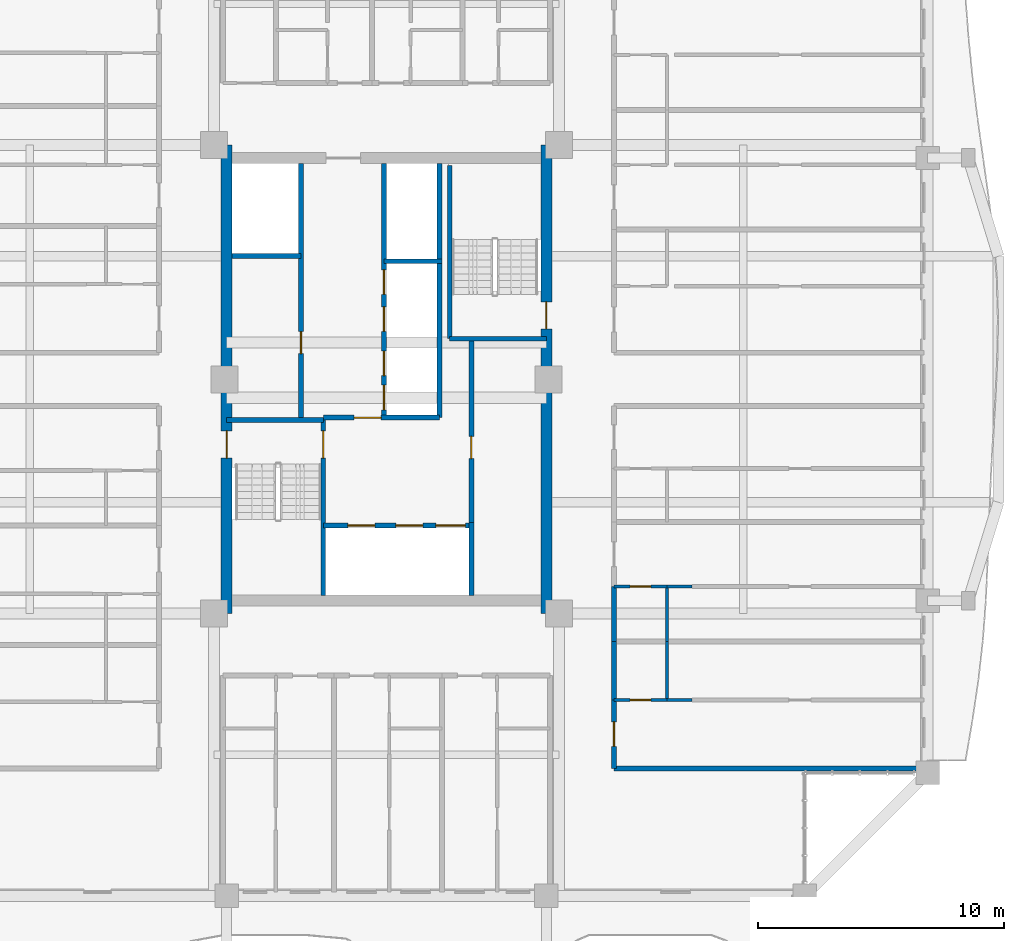
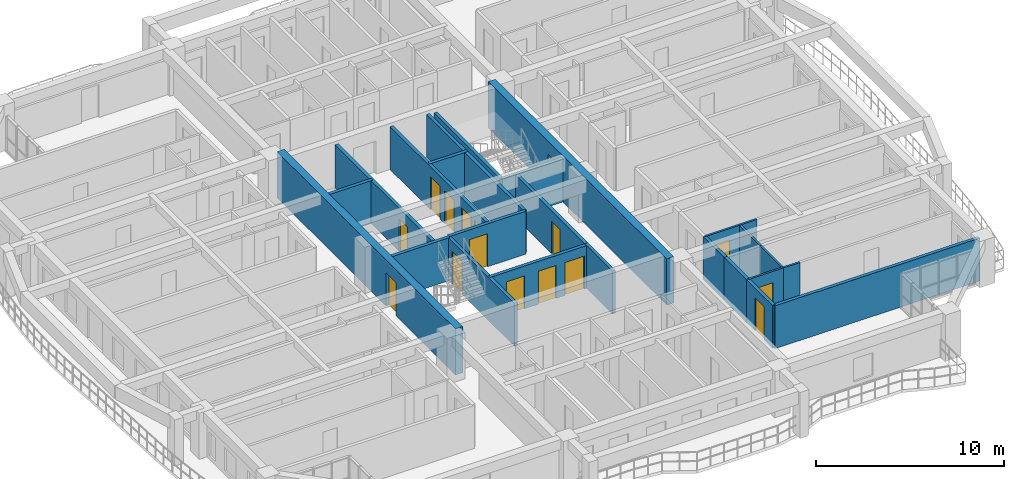
# One storey, part 14 of 24: 26 walls, 16 doors, 16 openings.
"""IFC4 building model written with IfcOpenShell, lengths in metres."""

from ifc_helpers import new_model, si_unit, direction, frame, frame_2d, origin, place, context, subcontext, project, spatial, rectangle, extrude, source, transform, mapped, material, layer, layer_set, type_object, element, fill, save


model = new_model("IFC4")

# Units and contexts
model_context = context("Model", 3, precision=1e-05, world=origin(), true_north=direction((0.0, 1.0)))
body_context = subcontext(model_context, "Body", "Model", "MODEL_VIEW")
ifc_project = project(units=[si_unit("LENGTHUNIT", "METRE"), si_unit("AREAUNIT", "SQUARE_METRE"), si_unit("VOLUMEUNIT", "CUBIC_METRE"), si_unit("PLANEANGLEUNIT", "RADIAN"), si_unit("MASSUNIT", "GRAM", prefix="KILO")], contexts=[model_context])

# Site, building, storey
site_placement = place(None, origin())
site = spatial("IfcSite", under=ifc_project, at=site_placement, CompositionType="ELEMENT")
building_placement = place(site_placement, origin())
building = spatial("IfcBuilding", under=site, at=building_placement, Name="Saelheon Loggia Tower", CompositionType="ELEMENT")
storey_placement = place(building_placement, frame((0.0, 0.0, 166.0)))
storey = spatial("IfcBuildingStorey", under=building, at=storey_placement, Name="L52", CompositionType="ELEMENT", Elevation=166.0)

# Wall, opening, door
ifc_material_1 = material(Name="Concrete C45/55", Category="concrete")
ifc_layer_1 = layer(ifc_material_1, 0.449951171875)
ifc_layer_set_1 = layer_set([ifc_layer_1], Name="Concrete C45/55")
wall_type_1 = type_object("IfcWallType", Name="Wall_CoreShear_450", PredefinedType="SHEAR", material=ifc_layer_set_1)
wall_1_placement = place(storey_placement, frame((31.5, 17.47998046875, 0.0), z_axis=(0.0, 0.0, 1.0), x_axis=(0.0, 1.0, 0.0)))
wall_1 = element("IfcWall", 1, at=wall_1_placement, inside=storey, type_object=wall_type_1, Name="L52 Core Shear Wall West", PredefinedType="SHEAR", context=body_context, shape_type="SweptSolid", body=[
    extrude(rectangle(XDim=19.0400390625, YDim=0.449951171875, at=frame_2d((9.52001953125, 0.0))), origin(), (0.0, 0.0, 1.0), 3.0),
])
opening_1_placement = place(wall_1_placement, frame((6.320068359375, 0.0, 0.0)))
opening_1 = element("IfcOpeningElement", 2, at=opening_1_placement, cuts=wall_1, Name="Opening D-FD2", PredefinedType="OPENING", context=body_context, shape_type="SweptSolid", body=[
    extrude(rectangle(XDim=1.10009765625, YDim=2.14990234375, at=frame_2d((0.550048828125, 1.074951171875))), frame((0.0, 0.237060546875, 0.0), z_axis=(0.0, -1.0, 0.0), x_axis=(1.0, 0.0, 0.0)), (0.0, 0.0, 1.0), 0.473876953125),
])
ifc_material_2 = material(Name="Galvanised Steel Fire Door", Category="steel")
door_type_1 = type_object("IfcDoorType", Name="Door_Fire_FD60_1100", OperationType="NOTDEFINED", PredefinedType="DOOR", material=ifc_material_2)
shared_shape_1 = source(origin(), body_context, "Body", "SweptSolid", [
    extrude(rectangle(XDim=1.10009765625, YDim=2.14990234375, at=frame_2d((0.550048828125, 1.074951171875))), frame((0.0, 0.02490234375, 0.0), z_axis=(0.0, -1.0, 0.0), x_axis=(1.0, 0.0, 0.0)), (0.0, 0.0, 1.0), 0.050048828125),
])
door_1_placement = place(opening_1_placement, origin())
door_1 = element("IfcDoor", 3, at=door_1_placement, inside=storey, type_object=door_type_1, Name="L52 Stair ST1 Corridor Door", OperationType="SINGLE_SWING_LEFT", OverallHeight=2.14990234375, OverallWidth=1.10009765625, PredefinedType="DOOR", context=body_context, shape_type="MappedRepresentation", body=[
    mapped(shared_shape_1, transform((0.0, 0.0, 0.0), scale=1.0)),
])
fill(opening_1, door_1)

wall_2_placement = place(storey_placement, frame((44.5, 17.47998046875, 0.0), z_axis=(0.0, 0.0, 1.0), x_axis=(0.0, 1.0, 0.0)))
wall_2 = element("IfcWall", 4, at=wall_2_placement, inside=storey, type_object=wall_type_1, Name="L52 Core Shear Wall East", PredefinedType="SHEAR", context=body_context, shape_type="SweptSolid", body=[
    extrude(rectangle(XDim=19.0400390625, YDim=0.449951171875, at=frame_2d((9.52001953125, 0.0))), origin(), (0.0, 0.0, 1.0), 3.0),
])
opening_2_placement = place(wall_2_placement, frame((12.670166015625, 0.0, 0.0), z_axis=(0.0, 0.0, 1.0), x_axis=(-1.0, 0.0, 0.0)))
opening_2 = element("IfcOpeningElement", 5, at=opening_2_placement, cuts=wall_2, Name="Opening D-FD2", PredefinedType="OPENING", context=body_context, shape_type="SweptSolid", body=[
    extrude(rectangle(XDim=1.10009765625, YDim=2.14990234375, at=frame_2d((0.550048828125, 1.074951171875))), frame((0.0, 0.237060546875, 0.0), z_axis=(0.0, -1.0, 0.0), x_axis=(1.0, 0.0, 0.0)), (0.0, 0.0, 1.0), 0.473876953125),
])
door_2_placement = place(opening_2_placement, origin())
door_2 = element("IfcDoor", 6, at=door_2_placement, inside=storey, type_object=door_type_1, Name="L52 Stair ST2 Corridor Door", OperationType="SINGLE_SWING_RIGHT", OverallHeight=2.14990234375, OverallWidth=1.10009765625, PredefinedType="DOOR", context=body_context, shape_type="MappedRepresentation", body=[
    mapped(shared_shape_1, transform((0.0, 0.0, 0.0), scale=1.0)),
])
fill(opening_2, door_2)

# Wall
ifc_material_3 = material(Name="Double Acoustic Stud and Fireboard Partition", Category="gypsum")
ifc_layer_2 = layer(ifc_material_3, 0.199951171875)
ifc_layer_set_2 = layer_set([ifc_layer_2], Name="Double Acoustic Stud and Fireboard Partition")
wall_type_2 = type_object("IfcWallType", Name="Wall_Party_200", PredefinedType="PARTITIONING", material=ifc_layer_set_2)
wall_3_placement = place(storey_placement, frame((47.25, 11.179931640625, 0.0), z_axis=(0.0, 0.0, 1.0), x_axis=(1.0, 0.0, 0.0)))
element("IfcWall", 7, at=wall_3_placement, inside=storey, type_object=wall_type_2, Name="L52 ES Partition U01", PredefinedType="PARTITIONING", context=body_context, shape_type="SweptSolid", body=[
    extrude(rectangle(XDim=12.60009765625, YDim=0.199951171875, at=frame_2d((6.300048828125, 0.0))), origin(), (0.0, 0.0, 1.0), 2.7900390625),
])

# Wall, opening, door
wall_4_placement = place(storey_placement, frame((47.25, 11.179931640625, 0.0), z_axis=(0.0, 0.0, 1.0), x_axis=(0.0, 1.0, 0.0)))
wall_4 = element("IfcWall", 8, at=wall_4_placement, inside=storey, type_object=wall_type_2, Name="L52 ES Partition V03", PredefinedType="PARTITIONING", context=body_context, shape_type="SweptSolid", body=[
    extrude(rectangle(XDim=2.785888671875, YDim=0.199951171875, at=frame_2d((1.39306640625, 0.0))), origin(), (0.0, 0.0, 1.0), 2.7900390625),
])
opening_3_placement = place(wall_4_placement, frame((0.892822265625, 0.0, 0.0)))
opening_3 = element("IfcOpeningElement", 9, at=opening_3_placement, cuts=wall_4, Name="Opening D-FD1", PredefinedType="OPENING", context=body_context, shape_type="SweptSolid", body=[
    extrude(rectangle(XDim=1.0, YDim=2.14990234375, at=frame_2d((0.5, 1.074951171875))), frame((0.0, 0.112060546875, 0.0), z_axis=(0.0, -1.0, 0.0), x_axis=(1.0, 0.0, 0.0)), (0.0, 0.0, 1.0), 0.223876953125),
])
ifc_material_4 = material(Name="Fire-Rated Engineered Timber Entrance Door", Category="wood")
door_type_2 = type_object("IfcDoorType", Name="Door_Flat_FD30S", OperationType="NOTDEFINED", PredefinedType="DOOR", material=ifc_material_4)
shared_shape_2 = source(origin(), body_context, "Body", "SweptSolid", [
    extrude(rectangle(XDim=1.0, YDim=2.14990234375, at=frame_2d((0.5, 1.074951171875))), frame((0.0, 0.02490234375, 0.0), z_axis=(0.0, -1.0, 0.0), x_axis=(1.0, 0.0, 0.0)), (0.0, 0.0, 1.0), 0.050048828125),
])
door_3_placement = place(opening_3_placement, origin())
door_3 = element("IfcDoor", 10, at=door_3_placement, inside=storey, type_object=door_type_2, Name="Unit U13 Entrance Door", OperationType="SINGLE_SWING_RIGHT", OverallHeight=2.14990234375, OverallWidth=1.0, PredefinedType="DOOR", context=body_context, shape_type="MappedRepresentation", body=[
    mapped(shared_shape_2, transform((0.0, 0.0, 0.0), scale=1.0)),
])
fill(opening_3, door_3)

# Walls
wall_5_placement = place(storey_placement, frame((47.25, 13.9658203125, 0.0), z_axis=(0.0, 0.0, 1.0), x_axis=(0.0, 1.0, 0.0)))
element("IfcWall", 11, at=wall_5_placement, inside=storey, type_object=wall_type_2, Name="L52 ES Partition V04", PredefinedType="PARTITIONING", context=body_context, shape_type="SweptSolid", body=[
    extrude(rectangle(XDim=2.373291015625, YDim=0.199951171875, at=frame_2d((1.1865234375, 0.0))), origin(), (0.0, 0.0, 1.0), 2.7900390625),
])
wall_6_placement = place(storey_placement, frame((47.25, 16.339111328125, 0.0), z_axis=(0.0, 0.0, 1.0), x_axis=(0.0, 1.0, 0.0)))
element("IfcWall", 12, at=wall_6_placement, inside=storey, type_object=wall_type_2, Name="L52 ES Partition V10", PredefinedType="PARTITIONING", context=body_context, shape_type="SweptSolid", body=[
    extrude(rectangle(XDim=2.2373046875, YDim=0.199951171875, at=frame_2d((1.11865234375, 0.0))), origin(), (0.0, 0.0, 1.0), 2.7900390625),
])
ifc_material_5 = material(Name="Concrete C40/50", Category="concrete")
ifc_layer_3 = layer(ifc_material_5, 0.199951171875)
ifc_layer_set_3 = layer_set([ifc_layer_3], Name="Concrete C40/50")
wall_type_3 = type_object("IfcWallType", Name="Wall_Shaft_200", PredefinedType="PARTITIONING", material=ifc_layer_set_3)
wall_7_placement = place(storey_placement, frame((41.449951171875, 18.219970703125, 0.0), z_axis=(0.0, 0.0, 1.0), x_axis=(0.0, 1.0, 0.0)))
element("IfcWall", 13, at=wall_7_placement, inside=storey, type_object=wall_type_3, Name="CW-INT-L52-BOH-W0", PredefinedType="PARTITIONING", context=body_context, shape_type="SweptSolid", body=[
    extrude(rectangle(XDim=2.9599609375, YDim=0.199951171875, at=frame_2d((1.47998046875, 0.0))), origin(), (0.0, 0.0, 1.0), 2.7900390625),
])

# Wall, opening, door
wall_8_placement = place(storey_placement, frame((41.449951171875, 21.179931640625, 0.0), z_axis=(0.0, 0.0, 1.0), x_axis=(0.0, 1.0, 0.0)))
wall_8 = element("IfcWall", 14, at=wall_8_placement, inside=storey, type_object=wall_type_3, Name="CW-INT-L52-BOH-W1", PredefinedType="PARTITIONING", context=body_context, shape_type="SweptSolid", body=[
    extrude(rectangle(XDim=7.420166015625, YDim=0.199951171875, at=frame_2d((3.7099609375, 0.0))), origin(), (0.0, 0.0, 1.0), 2.7900390625),
])
opening_4_placement = place(wall_8_placement, frame((2.60009765625, 0.0, 0.0)))
opening_4 = element("IfcOpeningElement", 15, at=opening_4_placement, cuts=wall_8, Name="Opening D-RS1", PredefinedType="OPENING", context=body_context, shape_type="SweptSolid", body=[
    extrude(rectangle(XDim=0.89990234375, YDim=2.10009765625, at=frame_2d((0.449951171875, 1.050048828125))), frame((0.0, 0.112060546875, 0.0), z_axis=(0.0, -1.0, 0.0), x_axis=(1.0, 0.0, 0.0)), (0.0, 0.0, 1.0), 0.223876953125),
])
ifc_material_6 = material(Name="Galvanised Steel Riser Access Door", Category="steel")
door_type_3 = type_object("IfcDoorType", Name="Door_Riser_FD60", OperationType="NOTDEFINED", PredefinedType="DOOR", material=ifc_material_6)
shared_shape_3 = source(origin(), body_context, "Body", "SweptSolid", [
    extrude(rectangle(XDim=0.89990234375, YDim=2.10009765625, at=frame_2d((0.449951171875, 1.050048828125))), frame((0.0, 0.02490234375, 0.0), z_axis=(0.0, -1.0, 0.0), x_axis=(1.0, 0.0, 0.0)), (0.0, 0.0, 1.0), 0.050048828125),
])
door_4_placement = place(opening_4_placement, origin())
door_4 = element("IfcDoor", 16, at=door_4_placement, inside=storey, type_object=door_type_3, Name="L52 Core Service Store Door", OperationType="SINGLE_SWING_LEFT", OverallHeight=2.10009765625, OverallWidth=0.89990234375, PredefinedType="DOOR", context=body_context, shape_type="MappedRepresentation", body=[
    mapped(shared_shape_3, transform((0.0, 0.0, 0.0), scale=1.0)),
])
fill(opening_4, door_4)

# Walls
wall_9_placement = place(storey_placement, frame((40.14990234375, 25.43994140625, 0.0), z_axis=(0.0, 0.0, 1.0), x_axis=(0.0, 1.0, 0.0)))
element("IfcWall", 17, at=wall_9_placement, inside=storey, type_object=wall_type_3, Name="L52 Core Service Passage West Wall", PredefinedType="PARTITIONING", context=body_context, shape_type="SweptSolid", body=[
    extrude(rectangle(XDim=6.360107421875, YDim=0.199951171875, at=frame_2d((3.18017578125, 0.0))), origin(), (0.0, 0.0, 1.0), 2.7900390625),
])
wall_10_placement = place(storey_placement, frame((40.14990234375, 31.800048828125, 0.0), z_axis=(0.0, 0.0, 1.0), x_axis=(0.0, 1.0, 0.0)))
element("IfcWall", 18, at=wall_10_placement, inside=storey, type_object=wall_type_3, Name="L52 East High-Rise Hoistway East Wall", PredefinedType="PARTITIONING", context=body_context, shape_type="SweptSolid", body=[
    extrude(rectangle(XDim=3.97998046875, YDim=0.199951171875, at=frame_2d((1.989990234375, 0.0))), origin(), (0.0, 0.0, 1.0), 2.7900390625),
])

# Wall, openings, doors
wall_11_placement = place(storey_placement, frame((35.429931640625, 21.06005859375, 0.0), z_axis=(0.0, 0.0, 1.0), x_axis=(1.0, 0.0, 0.0)))
wall_11 = element("IfcWall", 19, at=wall_11_placement, inside=storey, type_object=wall_type_3, Name="L52 Firefighting Lift Shaft Front Wall", PredefinedType="PARTITIONING", context=body_context, shape_type="SweptSolid", body=[
    extrude(rectangle(XDim=6.02001953125, YDim=0.199951171875, at=frame_2d((3.010009765625, 0.0))), origin(), (0.0, 0.0, 1.0), 2.7900390625),
])
opening_5_placement = place(wall_11_placement, frame((1.0, 0.0, 0.0)))
opening_5 = element("IfcOpeningElement", 20, at=opening_5_placement, cuts=wall_11, Name="Opening LD2", PredefinedType="OPENING", context=body_context, shape_type="SweptSolid", body=[
    extrude(rectangle(XDim=1.10009765625, YDim=2.14990234375, at=frame_2d((0.550048828125, 1.074951171875))), frame((0.0, 0.112060546875, 0.0), z_axis=(0.0, -1.0, 0.0), x_axis=(1.0, 0.0, 0.0)), (0.0, 0.0, 1.0), 0.223876953125),
])
opening_6_placement = place(wall_11_placement, frame((2.949951171875, 0.0, 0.0)))
opening_6 = element("IfcOpeningElement", 21, at=opening_6_placement, cuts=wall_11, Name="Opening LD2", PredefinedType="OPENING", context=body_context, shape_type="SweptSolid", body=[
    extrude(rectangle(XDim=1.10009765625, YDim=2.14990234375, at=frame_2d((0.550048828125, 1.074951171875))), frame((0.0, 0.112060546875, 0.0), z_axis=(0.0, -1.0, 0.0), x_axis=(1.0, 0.0, 0.0)), (0.0, 0.0, 1.0), 0.223876953125),
])
opening_7_placement = place(wall_11_placement, frame((4.580078125, 0.0, 0.0)))
opening_7 = element("IfcOpeningElement", 22, at=opening_7_placement, cuts=wall_11, Name="Opening LD3", PredefinedType="OPENING", context=body_context, shape_type="SweptSolid", body=[
    extrude(rectangle(XDim=1.199951171875, YDim=2.14990234375, at=frame_2d((0.60009765625, 1.074951171875))), frame((0.0, 0.112060546875, 0.0), z_axis=(0.0, -1.0, 0.0), x_axis=(1.0, 0.0, 0.0)), (0.0, 0.0, 1.0), 0.223876953125),
])
ifc_material_7 = material(Name="Firefighting Stainless Steel 316 Landing Door", Category="steel")
door_type_4 = type_object("IfcDoorType", Name="Door_Lift_LD2", OperationType="DOUBLE_DOOR_SLIDING", PredefinedType="DOOR", material=ifc_material_7)
door_5_placement = place(opening_5_placement, origin())
door_5 = element("IfcDoor", 23, at=door_5_placement, inside=storey, type_object=door_type_4, Name="L52 FF1 Landing Door", OperationType="DOUBLE_DOOR_SLIDING", OverallHeight=2.14990234375, OverallWidth=1.10009765625, PredefinedType="DOOR", context=body_context, shape_type="MappedRepresentation", body=[
    mapped(shared_shape_1, transform((0.0, 0.0, 0.0), scale=1.0)),
])
fill(opening_5, door_5)
door_6_placement = place(opening_6_placement, origin())
door_6 = element("IfcDoor", 24, at=door_6_placement, inside=storey, type_object=door_type_4, Name="L52 FF2 Landing Door", OperationType="DOUBLE_DOOR_SLIDING", OverallHeight=2.14990234375, OverallWidth=1.10009765625, PredefinedType="DOOR", context=body_context, shape_type="MappedRepresentation", body=[
    mapped(shared_shape_1, transform((0.0, 0.0, 0.0), scale=1.0)),
])
fill(opening_6, door_6)
ifc_material_8 = material(Name="Stretcher Lift Stainless Steel 304 Landing Door", Category="steel")
door_type_5 = type_object("IfcDoorType", Name="Door_Lift_LD3", OperationType="DOUBLE_DOOR_SLIDING", PredefinedType="DOOR", material=ifc_material_8)
shared_shape_4 = source(origin(), body_context, "Body", "SweptSolid", [
    extrude(rectangle(XDim=1.199951171875, YDim=2.14990234375, at=frame_2d((0.60009765625, 1.074951171875))), frame((0.0, 0.02490234375, 0.0), z_axis=(0.0, -1.0, 0.0), x_axis=(1.0, 0.0, 0.0)), (0.0, 0.0, 1.0), 0.050048828125),
])
door_7_placement = place(opening_7_placement, origin())
door_7 = element("IfcDoor", 25, at=door_7_placement, inside=storey, type_object=door_type_5, Name="L52 SV1 Landing Door", OperationType="DOUBLE_DOOR_SLIDING", OverallHeight=2.14990234375, OverallWidth=1.199951171875, PredefinedType="DOOR", context=body_context, shape_type="MappedRepresentation", body=[
    mapped(shared_shape_4, transform((0.0, 0.0, 0.0), scale=1.0)),
])
fill(opening_7, door_7)

# Wall, opening, door
wall_12_placement = place(storey_placement, frame((35.429931640625, 25.43994140625, 0.0), z_axis=(0.0, 0.0, 1.0), x_axis=(1.0, 0.0, 0.0)))
wall_12 = element("IfcWall", 26, at=wall_12_placement, inside=storey, type_object=wall_type_3, Name="L52 Firefighting Lobby Compartment Wall", PredefinedType="PARTITIONING", context=body_context, shape_type="SweptSolid", body=[
    extrude(rectangle(XDim=4.719970703125, YDim=0.199951171875, at=frame_2d((2.35986328125, 0.0))), origin(), (0.0, 0.0, 1.0), 2.7900390625),
])
opening_8_placement = place(wall_12_placement, frame((1.25, 0.0, 0.0)))
opening_8 = element("IfcOpeningElement", 27, at=opening_8_placement, cuts=wall_12, Name="Opening D-FD2", PredefinedType="OPENING", context=body_context, shape_type="SweptSolid", body=[
    extrude(rectangle(XDim=1.10009765625, YDim=2.14990234375, at=frame_2d((0.550048828125, 1.074951171875))), frame((0.0, 0.112060546875, 0.0), z_axis=(0.0, -1.0, 0.0), x_axis=(1.0, 0.0, 0.0)), (0.0, 0.0, 1.0), 0.223876953125),
])
door_8_placement = place(opening_8_placement, origin())
door_8 = element("IfcDoor", 28, at=door_8_placement, inside=storey, type_object=door_type_1, Name="L52 Firefighting Lobby Door", OperationType="SINGLE_SWING_RIGHT", OverallHeight=2.14990234375, OverallWidth=1.10009765625, PredefinedType="DOOR", context=body_context, shape_type="MappedRepresentation", body=[
    mapped(shared_shape_1, transform((0.0, 0.0, 0.0), scale=1.0)),
])
fill(opening_8, door_8)

wall_13_placement = place(storey_placement, frame((34.52001953125, 25.43994140625, 0.0), z_axis=(0.0, 0.0, 1.0), x_axis=(0.0, 1.0, 0.0)))
wall_13 = element("IfcWall", 29, at=wall_13_placement, inside=storey, type_object=wall_type_3, Name="L52 West Passenger Lift Bank Wall", PredefinedType="PARTITIONING", context=body_context, shape_type="SweptSolid", body=[
    extrude(rectangle(XDim=10.340087890625, YDim=0.199951171875, at=frame_2d((5.169921875, 0.0))), origin(), (0.0, 0.0, 1.0), 2.7900390625),
])
opening_9_placement = place(wall_13_placement, frame((2.60009765625, 0.0, 0.0)))
opening_9 = element("IfcOpeningElement", 30, at=opening_9_placement, cuts=wall_13, Name="Opening D-RS1", PredefinedType="OPENING", context=body_context, shape_type="SweptSolid", body=[
    extrude(rectangle(XDim=0.89990234375, YDim=2.10009765625, at=frame_2d((0.449951171875, 1.050048828125))), frame((0.0, 0.112060546875, 0.0), z_axis=(0.0, -1.0, 0.0), x_axis=(1.0, 0.0, 0.0)), (0.0, 0.0, 1.0), 0.223876953125),
])
door_9_placement = place(opening_9_placement, origin())
door_9 = element("IfcDoor", 31, at=door_9_placement, inside=storey, type_object=door_type_3, Name="L52 Core Parcel Room Door", OperationType="SINGLE_SWING_RIGHT", OverallHeight=2.10009765625, OverallWidth=0.89990234375, PredefinedType="DOOR", context=body_context, shape_type="MappedRepresentation", body=[
    mapped(shared_shape_3, transform((0.0, 0.0, 0.0), scale=1.0)),
])
fill(opening_9, door_9)

# Wall
wall_14_placement = place(storey_placement, frame((31.719970703125, 32.02001953125, 0.0), z_axis=(0.0, 0.0, 1.0), x_axis=(1.0, 0.0, 0.0)))
element("IfcWall", 32, at=wall_14_placement, inside=storey, type_object=wall_type_3, Name="L52 West High-Rise Shaft Divider", PredefinedType="PARTITIONING", context=body_context, shape_type="SweptSolid", body=[
    extrude(rectangle(XDim=2.800048828125, YDim=0.199951171875, at=frame_2d((1.39990234375, 0.0))), origin(), (0.0, 0.0, 1.0), 2.7900390625),
])

# Wall, openings, doors
wall_15_placement = place(storey_placement, frame((37.89990234375, 25.43994140625, 0.0), z_axis=(0.0, 0.0, 1.0), x_axis=(0.0, 1.0, 0.0)))
wall_15 = element("IfcWall", 33, at=wall_15_placement, inside=storey, type_object=wall_type_3, Name="L52 East Passenger Lift Bank Wall", PredefinedType="PARTITIONING", context=body_context, shape_type="SweptSolid", body=[
    extrude(rectangle(XDim=10.340087890625, YDim=0.199951171875, at=frame_2d((5.169921875, 0.0))), origin(), (0.0, 0.0, 1.0), 2.7900390625),
])
opening_10_placement = place(wall_15_placement, frame((0.320068359375, 0.0, 0.0)))
opening_10 = element("IfcOpeningElement", 34, at=opening_10_placement, cuts=wall_15, Name="Opening LD1", PredefinedType="OPENING", context=body_context, shape_type="SweptSolid", body=[
    extrude(rectangle(XDim=1.0, YDim=2.14990234375, at=frame_2d((0.5, 1.074951171875))), frame((0.0, 0.112060546875, 0.0), z_axis=(0.0, -1.0, 0.0), x_axis=(1.0, 0.0, 0.0)), (0.0, 0.0, 1.0), 0.223876953125),
])
opening_11_placement = place(wall_15_placement, frame((1.7099609375, 0.0, 0.0)))
opening_11 = element("IfcOpeningElement", 35, at=opening_11_placement, cuts=wall_15, Name="Opening LD1", PredefinedType="OPENING", context=body_context, shape_type="SweptSolid", body=[
    extrude(rectangle(XDim=1.0, YDim=2.14990234375, at=frame_2d((0.5, 1.074951171875))), frame((0.0, 0.112060546875, 0.0), z_axis=(0.0, -1.0, 0.0), x_axis=(1.0, 0.0, 0.0)), (0.0, 0.0, 1.0), 0.223876953125),
])
opening_12_placement = place(wall_15_placement, frame((3.510009765625, 0.0, 0.0)))
opening_12 = element("IfcOpeningElement", 36, at=opening_12_placement, cuts=wall_15, Name="Opening LD1", PredefinedType="OPENING", context=body_context, shape_type="SweptSolid", body=[
    extrude(rectangle(XDim=1.0, YDim=2.14990234375, at=frame_2d((0.5, 1.074951171875))), frame((0.0, 0.112060546875, 0.0), z_axis=(0.0, -1.0, 0.0), x_axis=(1.0, 0.0, 0.0)), (0.0, 0.0, 1.0), 0.223876953125),
])
opening_13_placement = place(wall_15_placement, frame((5.010009765625, 0.0, 0.0)))
opening_13 = element("IfcOpeningElement", 37, at=opening_13_placement, cuts=wall_15, Name="Opening LD1", PredefinedType="OPENING", context=body_context, shape_type="SweptSolid", body=[
    extrude(rectangle(XDim=1.0, YDim=2.14990234375, at=frame_2d((0.5, 1.074951171875))), frame((0.0, 0.112060546875, 0.0), z_axis=(0.0, -1.0, 0.0), x_axis=(1.0, 0.0, 0.0)), (0.0, 0.0, 1.0), 0.223876953125),
])
ifc_material_9 = material(Name="Brushed Stainless Steel 304 Landing Door", Category="steel")
door_type_6 = type_object("IfcDoorType", Name="Door_Lift_LD1", OperationType="DOUBLE_DOOR_SLIDING", PredefinedType="DOOR", material=ifc_material_9)
door_10_placement = place(opening_10_placement, origin())
door_10 = element("IfcDoor", 38, at=door_10_placement, inside=storey, type_object=door_type_6, Name="L52 PM1 Landing Door", OperationType="DOUBLE_DOOR_SLIDING", OverallHeight=2.14990234375, OverallWidth=1.0, PredefinedType="DOOR", context=body_context, shape_type="MappedRepresentation", body=[
    mapped(shared_shape_2, transform((0.0, 0.0, 0.0), scale=1.0)),
])
fill(opening_10, door_10)
door_11_placement = place(opening_11_placement, origin())
door_11 = element("IfcDoor", 39, at=door_11_placement, inside=storey, type_object=door_type_6, Name="L52 PM2 Landing Door", OperationType="DOUBLE_DOOR_SLIDING", OverallHeight=2.14990234375, OverallWidth=1.0, PredefinedType="DOOR", context=body_context, shape_type="MappedRepresentation", body=[
    mapped(shared_shape_2, transform((0.0, 0.0, 0.0), scale=1.0)),
])
fill(opening_11, door_11)
door_12_placement = place(opening_12_placement, origin())
door_12 = element("IfcDoor", 40, at=door_12_placement, inside=storey, type_object=door_type_6, Name="L52 PM3 Landing Door", OperationType="DOUBLE_DOOR_SLIDING", OverallHeight=2.14990234375, OverallWidth=1.0, PredefinedType="DOOR", context=body_context, shape_type="MappedRepresentation", body=[
    mapped(shared_shape_2, transform((0.0, 0.0, 0.0), scale=1.0)),
])
fill(opening_12, door_12)
door_13_placement = place(opening_13_placement, origin())
door_13 = element("IfcDoor", 41, at=door_13_placement, inside=storey, type_object=door_type_6, Name="L52 PM4 Landing Door", OperationType="DOUBLE_DOOR_SLIDING", OverallHeight=2.14990234375, OverallWidth=1.0, PredefinedType="DOOR", context=body_context, shape_type="MappedRepresentation", body=[
    mapped(shared_shape_2, transform((0.0, 0.0, 0.0), scale=1.0)),
])
fill(opening_13, door_13)

# Wall
wall_16_placement = place(storey_placement, frame((37.89990234375, 31.800048828125, 0.0), z_axis=(0.0, 0.0, 1.0), x_axis=(1.0, 0.0, 0.0)))
element("IfcWall", 42, at=wall_16_placement, inside=storey, type_object=wall_type_3, Name="L52 East High-Rise Shaft Divider", PredefinedType="PARTITIONING", context=body_context, shape_type="SweptSolid", body=[
    extrude(rectangle(XDim=2.35009765625, YDim=0.199951171875, at=frame_2d((1.175048828125, 0.0))), origin(), (0.0, 0.0, 1.0), 2.7900390625),
])

# Wall, opening, door
ifc_layer_4 = layer(ifc_material_1, 0.199951171875)
ifc_layer_set_4 = layer_set([ifc_layer_4], Name="Concrete C45/55")
wall_type_4 = type_object("IfcWallType", Name="Wall_StairShaft_RC200", PredefinedType="SOLIDWALL", material=ifc_layer_set_4)
wall_17_placement = place(storey_placement, frame((35.429931640625, 18.219970703125, 0.0), z_axis=(0.0, 0.0, 1.0), x_axis=(0.0, 1.0, 0.0)))
wall_17 = element("IfcWall", 43, at=wall_17_placement, inside=storey, type_object=wall_type_4, Name="L52 Stair ST1 Shaft Wall", PredefinedType="SOLIDWALL", context=body_context, shape_type="SweptSolid", body=[
    extrude(rectangle(XDim=7.219970703125, YDim=0.199951171875, at=frame_2d((3.60986328125, 0.0))), origin(), (0.0, 0.0, 1.0), 2.7900390625),
])
opening_14_placement = place(wall_17_placement, frame((6.68017578125, 0.0, 0.0), z_axis=(0.0, 0.0, 1.0), x_axis=(-1.0, 0.0, 0.0)))
opening_14 = element("IfcOpeningElement", 44, at=opening_14_placement, cuts=wall_17, Name="Opening D-FD2", PredefinedType="OPENING", context=body_context, shape_type="SweptSolid", body=[
    extrude(rectangle(XDim=1.10009765625, YDim=2.14990234375, at=frame_2d((0.550048828125, 1.074951171875))), frame((0.0, 0.112060546875, 0.0), z_axis=(0.0, -1.0, 0.0), x_axis=(1.0, 0.0, 0.0)), (0.0, 0.0, 1.0), 0.223876953125),
])
door_14_placement = place(opening_14_placement, origin())
door_14 = element("IfcDoor", 45, at=door_14_placement, inside=storey, type_object=door_type_1, Name="L52 Stair ST1 Lobby Door", OperationType="SINGLE_SWING_LEFT", OverallHeight=2.14990234375, OverallWidth=1.10009765625, PredefinedType="DOOR", context=body_context, shape_type="MappedRepresentation", body=[
    mapped(shared_shape_1, transform((0.0, 0.0, 0.0), scale=1.0)),
])
fill(opening_14, door_14)

# Walls
wall_18_placement = place(storey_placement, frame((31.5, 25.35009765625, 0.0), z_axis=(0.0, 0.0, 1.0), x_axis=(1.0, 0.0, 0.0)))
element("IfcWall", 46, at=wall_18_placement, inside=storey, type_object=wall_type_4, Name="L52 Stair ST1 North Wall", PredefinedType="SOLIDWALL", context=body_context, shape_type="SweptSolid", body=[
    extrude(rectangle(XDim=3.929931640625, YDim=0.199951171875, at=frame_2d((1.96484375, 0.0))), origin(), (0.0, 0.0, 1.0), 2.7900390625),
])
wall_19_placement = place(storey_placement, frame((40.570068359375, 28.64990234375, 0.0), z_axis=(0.0, 0.0, 1.0), x_axis=(0.0, 1.0, 0.0)))
element("IfcWall", 47, at=wall_19_placement, inside=storey, type_object=wall_type_4, Name="L52 Stair ST2 Shaft Wall", PredefinedType="SOLIDWALL", context=body_context, shape_type="SweptSolid", body=[
    extrude(rectangle(XDim=7.050048828125, YDim=0.199951171875, at=frame_2d((3.52490234375, 0.0))), origin(), (0.0, 0.0, 1.0), 2.7900390625),
])
wall_20_placement = place(storey_placement, frame((40.570068359375, 28.64990234375, 0.0), z_axis=(0.0, 0.0, 1.0), x_axis=(1.0, 0.0, 0.0)))
element("IfcWall", 48, at=wall_20_placement, inside=storey, type_object=wall_type_4, Name="L52 Stair ST2 South Wall", PredefinedType="SOLIDWALL", context=body_context, shape_type="SweptSolid", body=[
    extrude(rectangle(XDim=3.929931640625, YDim=0.199951171875, at=frame_2d((1.96484375, 0.0))), origin(), (0.0, 0.0, 1.0), 2.7900390625),
])

# Wall, opening, door
ifc_material_10 = material(Name="Moisture-Resistant Cement Board Partition", Category="gypsum")
ifc_layer_5 = layer(ifc_material_10, 0.1201171875)
ifc_layer_set_5 = layer_set([ifc_layer_5], Name="Moisture-Resistant Cement Board Partition")
wall_type_5 = type_object("IfcWallType", Name="Wall_WetPart_120", PredefinedType="PARTITIONING", material=ifc_layer_set_5)
wall_21_placement = place(storey_placement, frame((47.25, 13.9658203125, 0.0), z_axis=(0.0, 0.0, 1.0), x_axis=(1.0, 0.0, 0.0)))
wall_21 = element("IfcWall", 49, at=wall_21_placement, inside=storey, type_object=wall_type_5, Name="L52 ES Partition U05", PredefinedType="PARTITIONING", context=body_context, shape_type="SweptSolid", body=[
    extrude(rectangle(XDim=2.14990234375, YDim=0.1201171875, at=frame_2d((1.074951171875, 0.0))), origin(), (0.0, 0.0, 1.0), 2.7900390625),
])
opening_15_placement = place(wall_21_placement, frame((0.64990234375, 0.0, 0.0)))
opening_15 = element("IfcOpeningElement", 50, at=opening_15_placement, cuts=wall_21, Name="Opening D-BT1", PredefinedType="OPENING", context=body_context, shape_type="SweptSolid", body=[
    extrude(rectangle(XDim=0.85009765625, YDim=2.050048828125, at=frame_2d((0.425048828125, 1.02490234375))), frame((0.0, 0.072021484375, 0.0), z_axis=(0.0, -1.0, 0.0), x_axis=(1.0, 0.0, 0.0)), (0.0, 0.0, 1.0), 0.14404296875),
])
ifc_material_11 = material(Name="Moisture-Resistant Laminate Timber Door", Category="wood")
door_type_7 = type_object("IfcDoorType", Name="Door_Bath_850", OperationType="NOTDEFINED", PredefinedType="DOOR", material=ifc_material_11)
shared_shape_5 = source(origin(), body_context, "Body", "SweptSolid", [
    extrude(rectangle(XDim=0.85009765625, YDim=2.050048828125, at=frame_2d((0.425048828125, 1.02490234375))), frame((0.0, 0.02490234375, 0.0), z_axis=(0.0, -1.0, 0.0), x_axis=(1.0, 0.0, 0.0)), (0.0, 0.0, 1.0), 0.050048828125),
])
door_15_placement = place(opening_15_placement, origin())
door_15 = element("IfcDoor", 51, at=door_15_placement, inside=storey, type_object=door_type_7, Name="Unit U13 Bathroom Door", OperationType="SINGLE_SWING_LEFT", OverallHeight=2.050048828125, OverallWidth=0.85009765625, PredefinedType="DOOR", context=body_context, shape_type="MappedRepresentation", body=[
    mapped(shared_shape_5, transform((0.0, 0.0, 0.0), scale=1.0)),
])
fill(opening_15, door_15)

# Walls
wall_22_placement = place(storey_placement, frame((49.39990234375, 13.9658203125, 0.0), z_axis=(0.0, 0.0, 1.0), x_axis=(1.0, 0.0, 0.0)))
element("IfcWall", 52, at=wall_22_placement, inside=storey, type_object=wall_type_5, Name="L52 ES Partition U06", PredefinedType="PARTITIONING", context=body_context, shape_type="SweptSolid", body=[
    extrude(rectangle(XDim=1.030029296875, YDim=0.1201171875, at=frame_2d((0.51513671875, 0.0))), origin(), (0.0, 0.0, 1.0), 2.7900390625),
])
wall_23_placement = place(storey_placement, frame((49.39990234375, 13.9658203125, 0.0), z_axis=(0.0, 0.0, 1.0), x_axis=(0.0, 1.0, 0.0)))
element("IfcWall", 53, at=wall_23_placement, inside=storey, type_object=wall_type_5, Name="L52 ES Partition V07", PredefinedType="PARTITIONING", context=body_context, shape_type="SweptSolid", body=[
    extrude(rectangle(XDim=2.373291015625, YDim=0.1201171875, at=frame_2d((1.1865234375, 0.0))), origin(), (0.0, 0.0, 1.0), 2.7900390625),
])

# Wall, opening, door
wall_24_placement = place(storey_placement, frame((47.25, 18.576416015625, 0.0), z_axis=(0.0, 0.0, 1.0), x_axis=(1.0, 0.0, 0.0)))
wall_24 = element("IfcWall", 54, at=wall_24_placement, inside=storey, type_object=wall_type_5, Name="L52 ES Partition U12", PredefinedType="PARTITIONING", context=body_context, shape_type="SweptSolid", body=[
    extrude(rectangle(XDim=2.14990234375, YDim=0.1201171875, at=frame_2d((1.074951171875, 0.0))), origin(), (0.0, 0.0, 1.0), 2.7900390625),
])
opening_16_placement = place(wall_24_placement, frame((0.64990234375, 0.0, 0.0)))
opening_16 = element("IfcOpeningElement", 55, at=opening_16_placement, cuts=wall_24, Name="Opening D-BT1", PredefinedType="OPENING", context=body_context, shape_type="SweptSolid", body=[
    extrude(rectangle(XDim=0.85009765625, YDim=2.050048828125, at=frame_2d((0.425048828125, 1.02490234375))), frame((0.0, 0.072021484375, 0.0), z_axis=(0.0, -1.0, 0.0), x_axis=(1.0, 0.0, 0.0)), (0.0, 0.0, 1.0), 0.14404296875),
])
door_16_placement = place(opening_16_placement, origin())
door_16 = element("IfcDoor", 56, at=door_16_placement, inside=storey, type_object=door_type_7, Name="Unit U14 Bathroom Door", OperationType="SINGLE_SWING_RIGHT", OverallHeight=2.050048828125, OverallWidth=0.85009765625, PredefinedType="DOOR", context=body_context, shape_type="MappedRepresentation", body=[
    mapped(shared_shape_5, transform((0.0, 0.0, 0.0), scale=1.0)),
])
fill(opening_16, door_16)

# Walls
wall_25_placement = place(storey_placement, frame((49.39990234375, 18.576416015625, 0.0), z_axis=(0.0, 0.0, 1.0), x_axis=(1.0, 0.0, 0.0)))
element("IfcWall", 57, at=wall_25_placement, inside=storey, type_object=wall_type_5, Name="L52 ES Partition U13", PredefinedType="PARTITIONING", context=body_context, shape_type="SweptSolid", body=[
    extrude(rectangle(XDim=1.030029296875, YDim=0.1201171875, at=frame_2d((0.51513671875, 0.0))), origin(), (0.0, 0.0, 1.0), 2.7900390625),
])
wall_26_placement = place(storey_placement, frame((49.39990234375, 16.339111328125, 0.0), z_axis=(0.0, 0.0, 1.0), x_axis=(0.0, 1.0, 0.0)))
element("IfcWall", 58, at=wall_26_placement, inside=storey, type_object=wall_type_5, Name="L52 ES Partition V14", PredefinedType="PARTITIONING", context=body_context, shape_type="SweptSolid", body=[
    extrude(rectangle(XDim=2.2373046875, YDim=0.1201171875, at=frame_2d((1.11865234375, 0.0))), origin(), (0.0, 0.0, 1.0), 2.7900390625),
])

save(model, "model.ifc")
